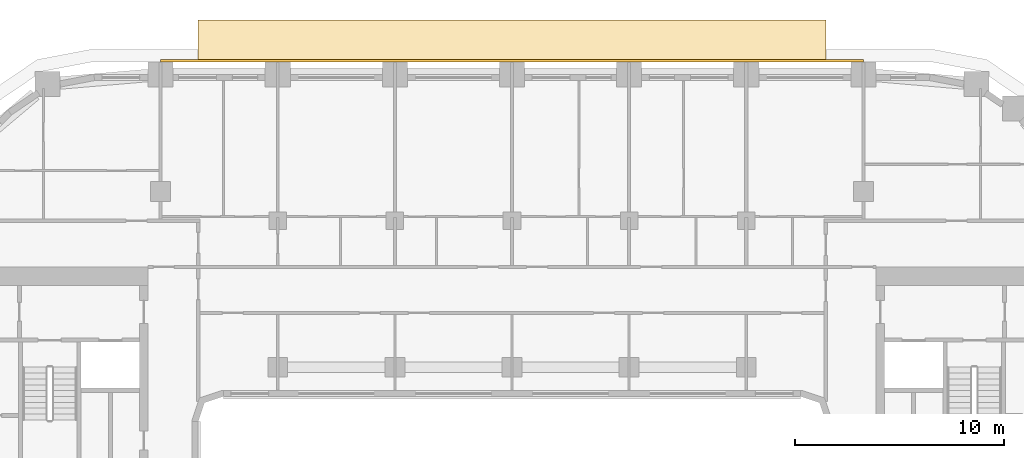
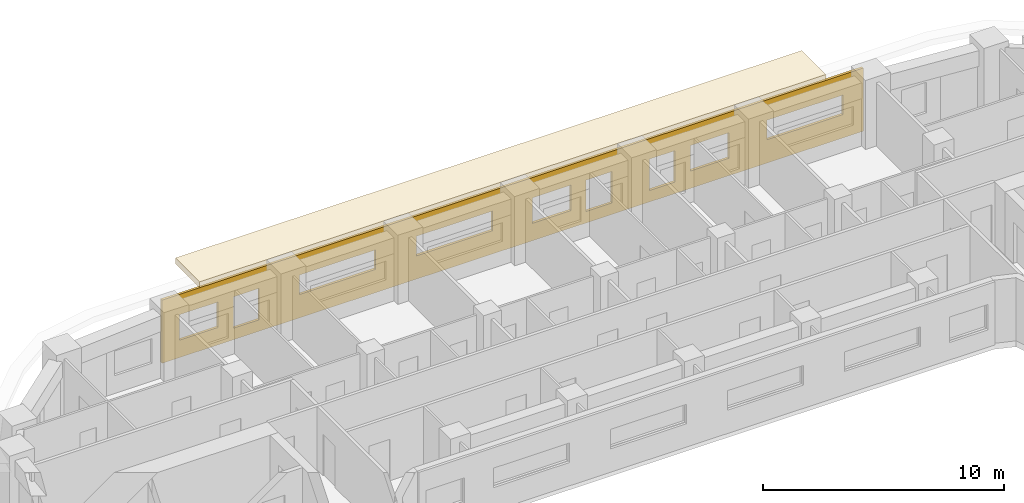
# One storey, part 22 of 23: 2 coverings.
"""IFC4 building model written with IfcOpenShell, lengths in metres."""

from ifc_helpers import new_model, si_unit, direction, frame, origin, place, context, subcontext, project, spatial, polyline, outline, extrude, material, layer, layer_set, type_object, element, save


model = new_model("IFC4")

# Units and contexts
model_context = context("Model", 3, precision=1e-05, world=origin(), true_north=direction((0.0, 1.0)))
body_context = subcontext(model_context, "Body", "Model", "MODEL_VIEW")
ifc_project = project(units=[si_unit("LENGTHUNIT", "METRE"), si_unit("AREAUNIT", "SQUARE_METRE"), si_unit("VOLUMEUNIT", "CUBIC_METRE"), si_unit("PLANEANGLEUNIT", "RADIAN"), si_unit("MASSUNIT", "GRAM", prefix="KILO")], contexts=[model_context])

# Site, building, storey
site_placement = place(None, origin())
site = spatial("IfcSite", under=ifc_project, at=site_placement, CompositionType="ELEMENT")
building_placement = place(site_placement, origin())
building = spatial("IfcBuilding", under=site, at=building_placement, Name="Kiln Ring Residences", CompositionType="ELEMENT")
storey_placement = place(building_placement, frame((0.0, 0.0, 118.300048828125)))
storey = spatial("IfcBuildingStorey", under=building, at=storey_placement, Name="L30", CompositionType="ELEMENT", Elevation=118.300048828125)

# Coverings
ifc_material_1 = material(Name="Brick masonry, dark clay brick", Category="masonry")
ifc_layer_1 = layer(ifc_material_1, 0.1201171875)
ifc_layer_set_1 = layer_set([ifc_layer_1], Name="RAINSCREEN PANEL 120")
covering_type_1 = type_object("IfcCoveringType", Name="RAINSCREEN PANEL 120", PredefinedType="CLADDING", material=ifc_layer_set_1)
covering_1_placement = place(storey_placement, frame((16.800048828125, 23.06005859375, 0.0), z_axis=(0.0, 0.0, 1.0), x_axis=(-1.0, 0.0, 0.0)))
element("IfcCovering", 1, at=covering_1_placement, inside=storey, type_object=covering_type_1, Name="RAINSCREEN L30", PredefinedType="CLADDING", context=body_context, shape_type="SweptSolid", body=[
    extrude(outline(polyline([(0.0, 0.0), (33.60009765625, 0.0), (33.60009765625, 3.199951171875), (0.0, 3.199951171875), (0.0, 0.0)]), holes=[polyline([(9.017578125, 0.579833984375), (10.257568359375, 0.579833984375), (10.257568359375, 2.169921875), (9.017578125, 2.169921875), (9.017578125, 0.579833984375)]), polyline([(12.04248046875, 0.579833984375), (13.282470703125, 0.579833984375), (13.282470703125, 2.169921875), (12.04248046875, 2.169921875), (12.04248046875, 0.579833984375)]), polyline([(28.9423828125, 0.579833984375), (30.1826171875, 0.579833984375), (30.1826171875, 2.169921875), (28.9423828125, 2.169921875), (28.9423828125, 0.579833984375)]), polyline([(6.4423828125, 0.8798828125), (8.282470703125, 0.8798828125), (8.282470703125, 2.169921875), (6.4423828125, 2.169921875), (6.4423828125, 0.8798828125)]), polyline([(14.017578125, 0.8798828125), (15.857421875, 0.8798828125), (15.857421875, 2.169921875), (14.017578125, 2.169921875), (14.017578125, 0.8798828125)]), polyline([(30.91748046875, 0.8798828125), (32.757568359375, 0.8798828125), (32.757568359375, 2.169921875), (30.91748046875, 2.169921875), (30.91748046875, 0.8798828125)]), polyline([(0.97998046875, 1.179931640625), (4.6201171875, 1.179931640625), (4.6201171875, 2.169921875), (0.97998046875, 2.169921875), (0.97998046875, 1.179931640625)]), polyline([(17.780029296875, 2.169921875), (17.780029296875, 1.179931640625), (21.419921875, 1.179931640625), (21.419921875, 2.169921875), (17.780029296875, 2.169921875)]), polyline([(23.3798828125, 2.169921875), (23.3798828125, 1.179931640625), (27.02001953125, 1.179931640625), (27.02001953125, 2.169921875), (23.3798828125, 2.169921875)])]), frame((0.0, 0.06005859375, 0.0), z_axis=(0.0, -1.0, 0.0), x_axis=(1.0, 0.0, 0.0)), (0.0, 0.0, 1.0), 0.1201171875),
])
ifc_material_2 = material(Name="Black powder-coated steel", Category="steel")
ifc_layer_2 = layer(ifc_material_2, 0.300048828125)
ifc_layer_set_2 = layer_set([ifc_layer_2], Name="SUNSHADE BAND 2000")
covering_type_2 = type_object("IfcCoveringType", Name="SUNSHADE BAND 2000", PredefinedType="CLADDING", material=ifc_layer_set_2)
covering_2_placement = place(storey_placement, frame((0.0, 0.0, 3.199951171875)))
element("IfcCovering", 2, at=covering_2_placement, inside=storey, type_object=covering_type_2, Name="SUNSHADE BAND L30", PredefinedType="CLADDING", context=body_context, shape_type="SweptSolid", body=[
    extrude(outline(polyline([(15.0, 25.0), (-15.0, 25.0), (-15.0, 23.0), (15.0, 23.0), (15.0, 25.0)])), origin(), (0.0, 0.0, 1.0), 0.300048828125),
])

save(model, "model.ifc")
